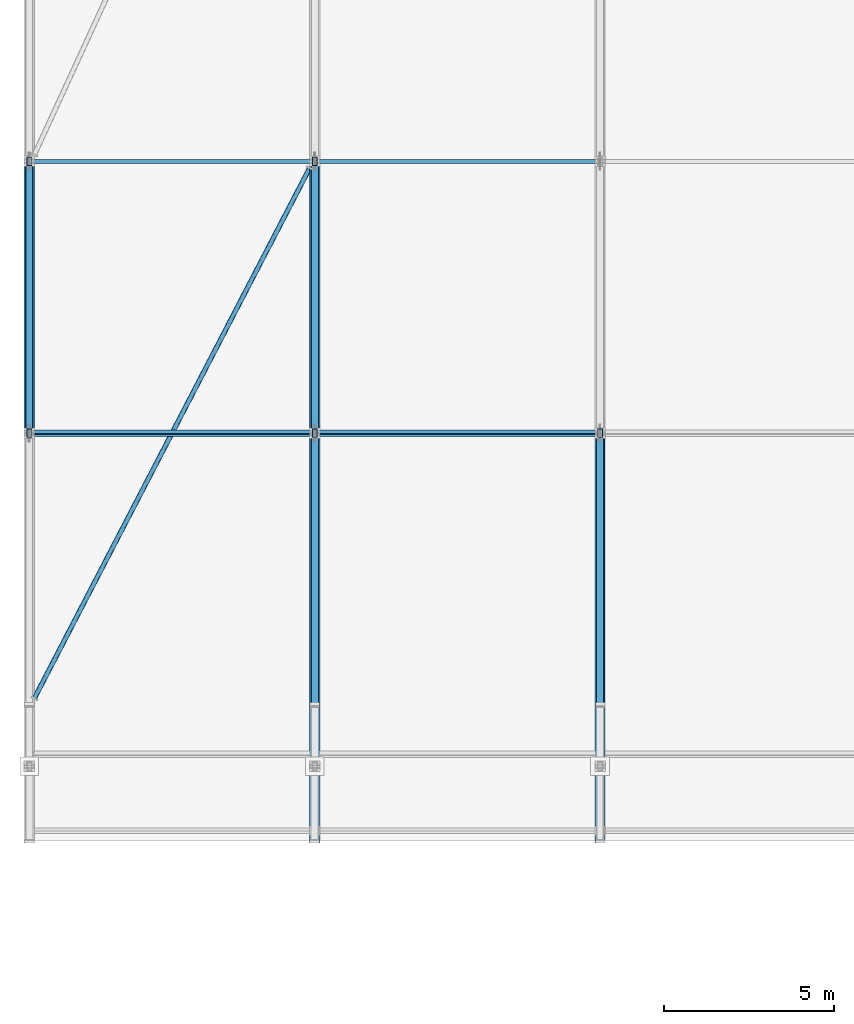
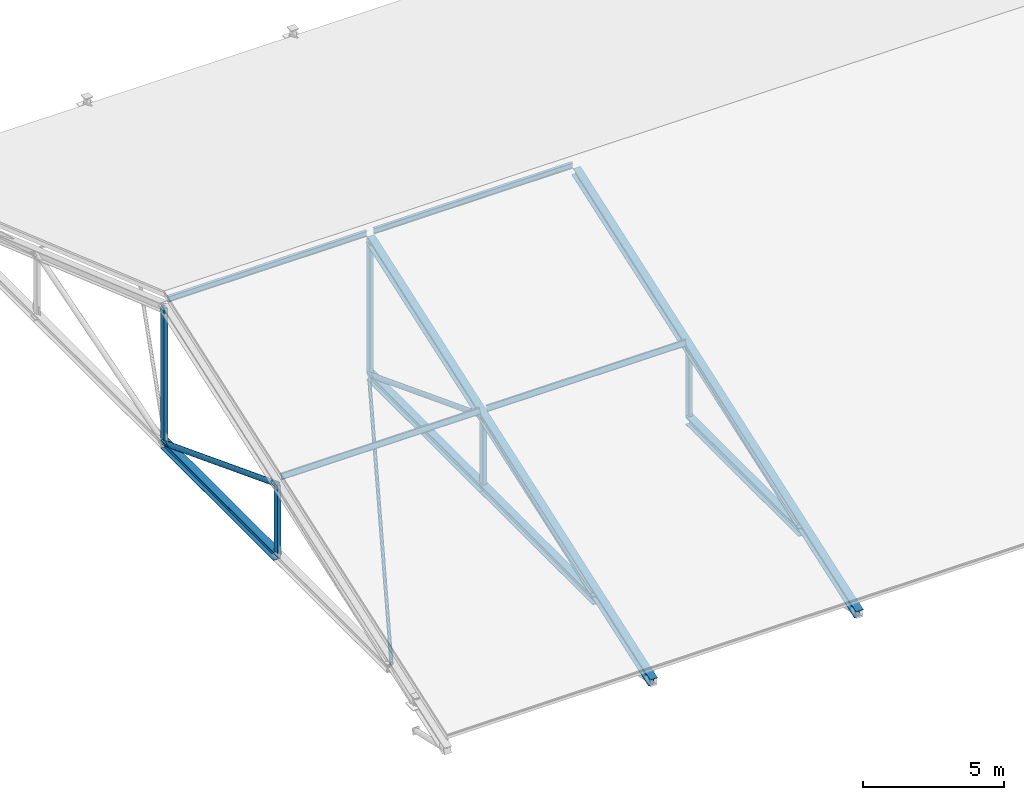
# One storey, part 4 of 57: 18 members, 2 beams.
"""IFC4 building model written with IfcOpenShell, lengths in metres."""

from ifc_helpers import new_model, si_unit, direction, frame, origin, origin_2d, place, context, subcontext, project, spatial, hollow_rectangle, hollow_circle, i_section, extrude, material, material_profile, profile_set, type_object, element, save


model = new_model("IFC4")

# Units and contexts
model_context = context("Model", 3, precision=1e-05, world=origin(), true_north=direction((0.0, 1.0)))
body_context = subcontext(model_context, "Body", "Model", "MODEL_VIEW")
ifc_project = project(units=[si_unit("LENGTHUNIT", "METRE"), si_unit("AREAUNIT", "SQUARE_METRE"), si_unit("VOLUMEUNIT", "CUBIC_METRE"), si_unit("PLANEANGLEUNIT", "RADIAN"), si_unit("MASSUNIT", "GRAM", prefix="KILO")], contexts=[model_context])

# Site, building, storey
site_placement = place(None, origin())
site = spatial("IfcSite", under=ifc_project, at=site_placement, CompositionType="ELEMENT")
building_placement = place(site_placement, origin())
building = spatial("IfcBuilding", under=site, at=building_placement, Name="Kelarvand Opera House", CompositionType="ELEMENT")
storey_placement = place(building_placement, frame((0.0, 0.0, 33.60009765625)))
storey = spatial("IfcBuildingStorey", under=building, at=storey_placement, Name="Roof", CompositionType="ELEMENT", Elevation=33.60009765625)

# Members
ifc_material = material(Name="Steel S355", Category="steel")
ifc_material_profile_1 = material_profile(ifc_material, hollow_circle(Radius=0.06982421875, WallThickness=0.00634765625, at=origin_2d()), Name="CHS 139.7x6.3", Category="steel")
ifc_profile_set_1 = profile_set([ifc_material_profile_1], Name="Steel S355")
member_type_1 = type_object("IfcMemberType", Name="Structural Brace CHS 139.7x6.3 BR-CHS140", PredefinedType="BRACE", material=ifc_profile_set_1)
member_1_placement = place(storey_placement, frame((9.14990234375, 89.199951171875, -13.580078125), z_axis=(0.460817374464, 0.887494984432, 0.0), x_axis=(-0.887494984432, 0.460817374464, 0.0)))
element("IfcMember", 1, at=member_1_placement, inside=storey, type_object=member_type_1, Name="V3 Roof Wind Brace 1.1", PredefinedType="BRACE", context=body_context, shape_type="SweptSolid", body=[
    extrude(hollow_circle(Radius=0.06982421875, WallThickness=0.00634765625, at=origin_2d()), origin(), (0.0, 0.0, 1.0), 17.57763671875),
])
ifc_material_profile_2 = material_profile(ifc_material, hollow_circle(Radius=0.109619140625, WallThickness=0.010009765625, at=origin_2d()), Name="CHS 219.1x10.0", Category="steel")
ifc_profile_set_2 = profile_set([ifc_material_profile_2], Name="Steel S355")
member_type_2 = type_object("IfcMemberType", Name="Structural Brace CHS 219.1x10.0 BR-CHS219", PredefinedType="BRACE", material=ifc_profile_set_2)
for number, where, z_axis, x_axis, name in (
    (2, (9.0, 97.0, -10.5029296875), (0.0, 0.933336796692, -0.3590019832), (-1.0, 0.0, 0.0), "V3 Roof Truss 1 Web Diagonal 2"),
    (3, (17.39990234375, 89.0, -13.580078125), (0.0, 0.933336796692, 0.3590019832), (-1.0, 0.0, 0.0), "V3 Roof Truss 2 Web Diagonal 1"),
    (4, (17.39990234375, 97.0, -10.5029296875), (0.0, 0.933336796692, -0.3590019832), (-1.0, 0.0, 0.0), "V3 Roof Truss 2 Web Diagonal 2"),
    (5, (25.800048828125, 89.0, -13.580078125), (0.0, 0.933336796692, 0.3590019832), (-1.0, 0.0, 0.0), "V3 Roof Truss 3 Web Diagonal 1"),
):
    element("IfcMember", number, at=place(storey_placement, frame(where, z_axis=z_axis, x_axis=x_axis)), inside=storey, type_object=member_type_2, Name=name, PredefinedType="BRACE", context=body_context, shape_type="SweptSolid", body=[
        extrude(hollow_circle(Radius=0.109619140625, WallThickness=0.010009765625, at=origin_2d()), origin(), (0.0, 0.0, 1.0), 8.5712890625),
    ])
ifc_material_profile_3 = material_profile(ifc_material, i_section(OverallWidth=0.300048828125, OverallDepth=0.360107421875, WebThickness=0.012451171875, FlangeThickness=0.0224609375, at=origin_2d()), Name="HEB 360", Category="steel")
ifc_profile_set_3 = profile_set([ifc_material_profile_3], Name="Steel S355")
member_type_3 = type_object("IfcMemberType", Name="Structural Chord HEB 360 CH-HEB360", PredefinedType="CHORD", material=ifc_profile_set_3)
for number, where, z_axis, x_axis, name in (
    (6, (9.0, 97.0, -13.580078125), (0.0, 1.0, 0.0), (-1.0, 0.0, 0.0), "V3 Roof Truss 1 Bottom Chord 2"),
    (7, (17.39990234375, 89.0, -13.580078125), (0.0, 1.0, 0.0), (-1.0, 0.0, 0.0), "V3 Roof Truss 2 Bottom Chord 1"),
    (8, (17.39990234375, 97.0, -13.580078125), (0.0, 1.0, 0.0), (-1.0, 0.0, 0.0), "V3 Roof Truss 2 Bottom Chord 2"),
    (9, (25.800048828125, 89.0, -13.580078125), (0.0, 1.0, 0.0), (-1.0, 0.0, 0.0), "V3 Roof Truss 3 Bottom Chord 1"),
):
    element("IfcMember", number, at=place(storey_placement, frame(where, z_axis=z_axis, x_axis=x_axis)), inside=storey, type_object=member_type_3, Name=name, PredefinedType="CHORD", context=body_context, shape_type="SweptSolid", body=[
        extrude(i_section(OverallWidth=0.300048828125, OverallDepth=0.360107421875, WebThickness=0.012451171875, FlangeThickness=0.0224609375, at=origin_2d()), origin(), (0.0, 0.0, 1.0), 8.0),
    ])
ifc_material_profile_4 = material_profile(ifc_material, hollow_rectangle(XDim=0.14990234375, YDim=0.25, WallThickness=0.010009765625, at=origin_2d()), Name="RHS 250x150x10.0", Category="steel")
ifc_profile_set_4 = profile_set([ifc_material_profile_4], Name="Steel S355")
member_type_4 = type_object("IfcMemberType", Name="Structural Post RHS 250x150x10.0 PS-RHS250", PredefinedType="POST", material=ifc_profile_set_4)
member_2_placement = place(storey_placement, frame((9.0, 97.0, -13.580078125), z_axis=(0.0, 0.0, 1.0), x_axis=(1.0, 0.0, 0.0)))
element("IfcMember", 10, at=member_2_placement, inside=storey, type_object=member_type_4, Name="V3 Roof Truss 1 Post 1", PredefinedType="POST", context=body_context, shape_type="SweptSolid", body=[
    extrude(hollow_rectangle(XDim=0.14990234375, YDim=0.25, WallThickness=0.010009765625, at=origin_2d()), origin(), (0.0, 0.0, 1.0), 3.0771484375),
])
member_3_placement = place(storey_placement, frame((9.0, 105.0, -13.580078125), z_axis=(0.0, 0.0, 1.0), x_axis=(1.0, 0.0, 0.0)))
element("IfcMember", 11, at=member_3_placement, inside=storey, type_object=member_type_4, Name="V3 Roof Truss 1 Post 2", PredefinedType="POST", context=body_context, shape_type="SweptSolid", body=[
    extrude(hollow_rectangle(XDim=0.14990234375, YDim=0.25, WallThickness=0.010009765625, at=origin_2d()), origin(), (0.0, 0.0, 1.0), 5.877197265625),
])
member_4_placement = place(storey_placement, frame((17.39990234375, 97.0, -13.580078125), z_axis=(0.0, 0.0, 1.0), x_axis=(1.0, 0.0, 0.0)))
element("IfcMember", 12, at=member_4_placement, inside=storey, type_object=member_type_4, Name="V3 Roof Truss 2 Post 1", PredefinedType="POST", context=body_context, shape_type="SweptSolid", body=[
    extrude(hollow_rectangle(XDim=0.14990234375, YDim=0.25, WallThickness=0.010009765625, at=origin_2d()), origin(), (0.0, 0.0, 1.0), 3.0771484375),
])
member_5_placement = place(storey_placement, frame((17.39990234375, 105.0, -13.580078125), z_axis=(0.0, 0.0, 1.0), x_axis=(1.0, 0.0, 0.0)))
element("IfcMember", 13, at=member_5_placement, inside=storey, type_object=member_type_4, Name="V3 Roof Truss 2 Post 2", PredefinedType="POST", context=body_context, shape_type="SweptSolid", body=[
    extrude(hollow_rectangle(XDim=0.14990234375, YDim=0.25, WallThickness=0.010009765625, at=origin_2d()), origin(), (0.0, 0.0, 1.0), 5.877197265625),
])
member_6_placement = place(storey_placement, frame((25.800048828125, 97.0, -13.580078125), z_axis=(0.0, 0.0, 1.0), x_axis=(1.0, 0.0, 0.0)))
element("IfcMember", 14, at=member_6_placement, inside=storey, type_object=member_type_4, Name="V3 Roof Truss 3 Post 1", PredefinedType="POST", context=body_context, shape_type="SweptSolid", body=[
    extrude(hollow_rectangle(XDim=0.14990234375, YDim=0.25, WallThickness=0.010009765625, at=origin_2d()), origin(), (0.0, 0.0, 1.0), 3.0771484375),
])
ifc_material_profile_5 = material_profile(ifc_material, i_section(OverallWidth=0.1201171875, OverallDepth=0.239990234375, WebThickness=0.006103515625, FlangeThickness=0.009765625, at=origin_2d()), Name="IPE 240", Category="steel")
ifc_profile_set_5 = profile_set([ifc_material_profile_5], Name="Steel S355")
member_type_5 = type_object("IfcMemberType", Name="Structural Purlin IPE 240 PR-IPE240", PredefinedType="PURLIN", material=ifc_profile_set_5)
for number, where, z_axis, x_axis, name in (
    (15, (9.139892578125, 97.0, -10.226806640625), (1.0, 0.0, 0.0), (0.0, 0.943858622852, -0.330349663339), "V3 Roof Purlin 1.3"),
    (16, (9.139892578125, 105.0, -7.413818359375), (1.0, 0.0, 0.0), (0.0, 1.0, 0.0), "V3 Roof Purlin 1.4"),
):
    element("IfcMember", number, at=place(storey_placement, frame(where, z_axis=z_axis, x_axis=x_axis)), inside=storey, type_object=member_type_5, Name=name, PredefinedType="PURLIN", context=body_context, shape_type="SweptSolid", body=[
        extrude(i_section(OverallWidth=0.1201171875, OverallDepth=0.239990234375, WebThickness=0.006103515625, FlangeThickness=0.009765625, at=origin_2d()), origin(), (0.0, 0.0, 1.0), 8.1201171875),
    ])
for number, where, z_axis, x_axis, name in (
    (17, (17.5400390625, 97.0, -10.226806640625), (1.0, 0.0, 0.0), (0.0, 0.943858622852, -0.330349663339), "V3 Roof Purlin 2.3"),
    (18, (17.5400390625, 105.0, -7.413818359375), (1.0, 0.0, 0.0), (0.0, 1.0, 0.0), "V3 Roof Purlin 2.4"),
):
    element("IfcMember", number, at=place(storey_placement, frame(where, z_axis=z_axis, x_axis=x_axis)), inside=storey, type_object=member_type_5, Name=name, PredefinedType="PURLIN", context=body_context, shape_type="SweptSolid", body=[
        extrude(i_section(OverallWidth=0.1201171875, OverallDepth=0.239990234375, WebThickness=0.006103515625, FlangeThickness=0.009765625, at=origin_2d()), origin(), (0.0, 0.0, 1.0), 8.119873046875),
    ])

# Beams
ifc_material_profile_6 = material_profile(ifc_material, i_section(OverallWidth=0.300048828125, OverallDepth=0.360107421875, WebThickness=0.012451171875, FlangeThickness=0.0224609375, at=origin_2d()), Name="HEB 360", Category="steel")
ifc_profile_set_6 = profile_set([ifc_material_profile_6], Name="Steel S355")
beam_type = type_object("IfcBeamType", Name="Structural Roof Truss HEB 360 RT-HEB360", PredefinedType="USERDEFINED", material=ifc_profile_set_6)
for number, where, z_axis, x_axis, name in (
    (19, (17.39990234375, 85.0, -14.702880859375), (0.0, 0.943858356366, 0.330350424728), (-1.0, 0.0, 0.0), "V3 Roof Truss 2 Top Chord Rafter 1"),
    (20, (25.800048828125, 85.0, -14.702880859375), (0.0, 0.943858356366, 0.330350424728), (-1.0, 0.0, 0.0), "V3 Roof Truss 3 Top Chord Rafter 1"),
):
    element("IfcBeam", number, at=place(storey_placement, frame(where, z_axis=z_axis, x_axis=x_axis)), inside=storey, type_object=beam_type, Name=name, ObjectType="ROOF TRUSS", PredefinedType="USERDEFINED", context=body_context, shape_type="SweptSolid", body=[
        extrude(i_section(OverallWidth=0.300048828125, OverallDepth=0.360107421875, WebThickness=0.012451171875, FlangeThickness=0.0224609375, at=origin_2d()), origin(), (0.0, 0.0, 1.0), 21.189697265625),
    ])

save(model, "model.ifc")
